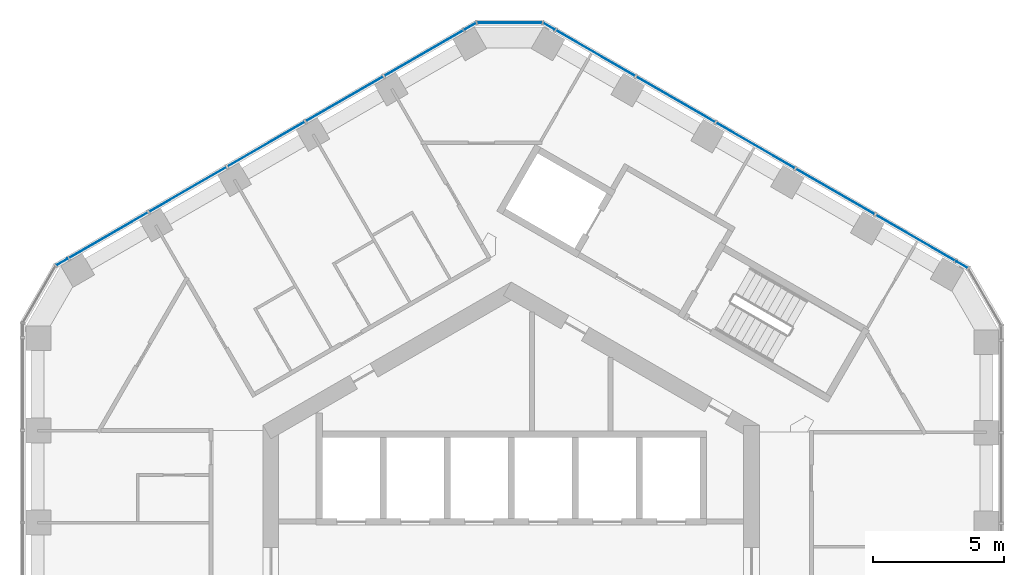
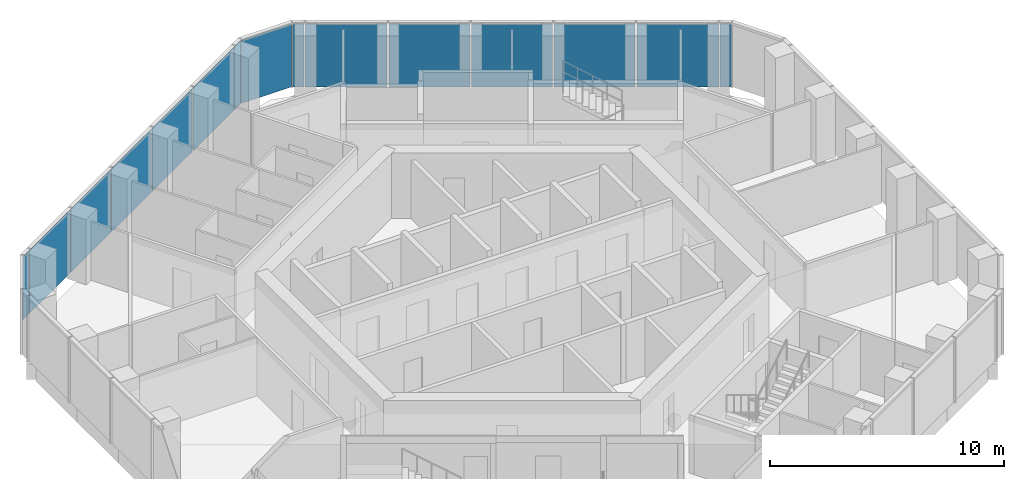
# One storey, part 13 of 19: 15 plates, 5 elements without a shape of their own.
"""IFC4 building model written with IfcOpenShell, lengths in metres."""

from ifc_helpers import new_model, si_unit, direction, frame, origin, origin_2d, place, context, subcontext, project, spatial, rectangle, extrude, material, layer, layer_set, type_object, element, aggregate, save


model = new_model("IFC4")

# Units and contexts
model_context = context("Model", 3, precision=1e-05, world=origin(), true_north=direction((0.0, 1.0)))
body_context = subcontext(model_context, "Body", "Model", "MODEL_VIEW")
ifc_project = project(units=[si_unit("LENGTHUNIT", "METRE"), si_unit("AREAUNIT", "SQUARE_METRE"), si_unit("VOLUMEUNIT", "CUBIC_METRE"), si_unit("PLANEANGLEUNIT", "RADIAN"), si_unit("MASSUNIT", "GRAM", prefix="KILO")], contexts=[model_context])

# Site, building, storey
site_placement = place(None, origin())
site = spatial("IfcSite", under=ifc_project, at=site_placement, CompositionType="ELEMENT")
building_placement = place(site_placement, origin())
building = spatial("IfcBuilding", under=site, at=building_placement, Name="Ayvan Gate Tower", CompositionType="ELEMENT")
storey_placement = place(building_placement, frame((0.0, 0.0, 156.10009765625)))
storey = spatial("IfcBuildingStorey", under=building, at=storey_placement, Name="L41", CompositionType="ELEMENT", Elevation=156.10009765625)

# Curtain wall, plates
ifc_material_1 = material(Name="Bronze anodised aluminium", Category="aluminium")
ifc_layer_1 = layer(ifc_material_1, 0.199951171875)
ifc_layer_set_1 = layer_set([ifc_layer_1], Name="Bronze anodised aluminium")
curtain_wall_type_1 = type_object("IfcCurtainWallType", Name="Stick curtain wall CW-2", PredefinedType="NOTDEFINED", material=ifc_layer_set_1)
curtain_wall_1_placement = place(storey_placement, origin())
curtain_wall_1 = element("IfcCurtainWall", 1, at=curtain_wall_1_placement, inside=storey, type_object=curtain_wall_type_1, Name="Stick curtain wall CW-2 L41", PredefinedType="NOTDEFINED")
ifc_material_2 = material(Name="Clear low-iron laminated glass", Category="glass")
ifc_layer_2 = layer(ifc_material_2, 0.028076171875)
ifc_layer_set_2 = layer_set([ifc_layer_2], Name="Clear low-iron laminated glass")
plate_type_1 = type_object("IfcPlateType", Name="Stick curtain wall CW-2 glass panel", PredefinedType="CURTAIN_PANEL", material=ifc_layer_set_2)
plate_1_placement = place(storey_placement, frame((-3.329833984375, 19.741455078125, 0.0), z_axis=(0.0, 0.0, 1.0), x_axis=(-0.866025403784, -0.5, 0.0)))
plate_1 = element("IfcPlate", 2, at=plate_1_placement, type_object=plate_type_1, Name="CW-2 glass panel 1", PredefinedType="CURTAIN_PANEL", context=body_context, shape_type="SweptSolid", body=[
    extrude(rectangle(XDim=3.506103515625, YDim=0.028076171875, at=origin_2d()), origin(), (0.0, 0.0, 1.0), 3.280029296875),
])
plate_2_placement = place(storey_placement, frame((-6.37890625, 17.98095703125, 0.0), z_axis=(0.0, 0.0, 1.0), x_axis=(-0.866025403784, -0.5, 0.0)))
plate_2 = element("IfcPlate", 3, at=plate_2_placement, type_object=plate_type_1, Name="CW-2 glass panel 2", PredefinedType="CURTAIN_PANEL", context=body_context, shape_type="SweptSolid", body=[
    extrude(rectangle(XDim=3.39599609375, YDim=0.028076171875, at=origin_2d()), origin(), (0.0, 0.0, 1.0), 3.280029296875),
])
plate_3_placement = place(storey_placement, frame((-9.380615234375, 16.248046875, 0.0), z_axis=(0.0, 0.0, 1.0), x_axis=(-0.866025403784, -0.5, 0.0)))
plate_3 = element("IfcPlate", 4, at=plate_3_placement, type_object=plate_type_1, Name="CW-2 glass panel 3", PredefinedType="CURTAIN_PANEL", context=body_context, shape_type="SweptSolid", body=[
    extrude(rectangle(XDim=3.39599609375, YDim=0.028076171875, at=origin_2d()), origin(), (0.0, 0.0, 1.0), 3.280029296875),
])
plate_4_placement = place(storey_placement, frame((-12.38232421875, 14.51513671875, 0.0), z_axis=(0.0, 0.0, 1.0), x_axis=(-0.866025403784, -0.5, 0.0)))
plate_4 = element("IfcPlate", 5, at=plate_4_placement, type_object=plate_type_1, Name="CW-2 glass panel 4", PredefinedType="CURTAIN_PANEL", context=body_context, shape_type="SweptSolid", body=[
    extrude(rectangle(XDim=3.39599609375, YDim=0.028076171875, at=origin_2d()), origin(), (0.0, 0.0, 1.0), 3.280029296875),
])
plate_5_placement = place(storey_placement, frame((-15.431640625, 12.75439453125, 0.0), z_axis=(0.0, 0.0, 1.0), x_axis=(-0.866025403784, -0.5, 0.0)))
plate_5 = element("IfcPlate", 6, at=plate_5_placement, type_object=plate_type_1, Name="CW-2 glass panel 5", PredefinedType="CURTAIN_PANEL", context=body_context, shape_type="SweptSolid", body=[
    extrude(rectangle(XDim=3.50634765625, YDim=0.028076171875, at=origin_2d()), origin(), (0.0, 0.0, 1.0), 3.280029296875),
])
aggregate(curtain_wall_1, [plate_1, plate_2, plate_3, plate_4, plate_5])

curtain_wall_2_placement = place(storey_placement, origin())
curtain_wall_2 = element("IfcCurtainWall", 7, at=curtain_wall_2_placement, inside=storey, type_object=curtain_wall_type_1, Name="Stick curtain wall CW-2 L41", PredefinedType="NOTDEFINED")
plate_6_placement = place(storey_placement, frame((15.48681640625, 12.654052734375, 0.0), z_axis=(0.0, 0.0, 1.0), x_axis=(-0.866025403784, 0.5, 0.0)))
plate_6 = element("IfcPlate", 8, at=plate_6_placement, type_object=plate_type_1, Name="CW-2 glass panel 1", PredefinedType="CURTAIN_PANEL", context=body_context, shape_type="SweptSolid", body=[
    extrude(rectangle(XDim=3.51611328125, YDim=0.028076171875, at=origin_2d()), origin(), (0.0, 0.0, 1.0), 3.280029296875),
])
plate_7_placement = place(storey_placement, frame((12.40625, 14.4326171875, 0.0), z_axis=(0.0, 0.0, 1.0), x_axis=(-0.866025403784, 0.5, 0.0)))
plate_7 = element("IfcPlate", 9, at=plate_7_placement, type_object=plate_type_1, Name="CW-2 glass panel 2", PredefinedType="CURTAIN_PANEL", context=body_context, shape_type="SweptSolid", body=[
    extrude(rectangle(XDim=3.4580078125, YDim=0.028076171875, at=origin_2d()), origin(), (0.0, 0.0, 1.0), 3.280029296875),
])
plate_8_placement = place(storey_placement, frame((9.35107421875, 16.196533203125, 0.0), z_axis=(0.0, 0.0, 1.0), x_axis=(-0.866025403784, 0.5, 0.0)))
plate_8 = element("IfcPlate", 10, at=plate_8_placement, type_object=plate_type_1, Name="CW-2 glass panel 3", PredefinedType="CURTAIN_PANEL", context=body_context, shape_type="SweptSolid", body=[
    extrude(rectangle(XDim=3.4580078125, YDim=0.028076171875, at=origin_2d()), origin(), (0.0, 0.0, 1.0), 3.280029296875),
])
plate_9_placement = place(storey_placement, frame((6.295654296875, 17.960693359375, 0.0), z_axis=(0.0, 0.0, 1.0), x_axis=(-0.866025403784, 0.5, 0.0)))
plate_9 = element("IfcPlate", 11, at=plate_9_placement, type_object=plate_type_1, Name="CW-2 glass panel 4", PredefinedType="CURTAIN_PANEL", context=body_context, shape_type="SweptSolid", body=[
    extrude(rectangle(XDim=3.4580078125, YDim=0.028076171875, at=origin_2d()), origin(), (0.0, 0.0, 1.0), 3.280029296875),
])
plate_10_placement = place(storey_placement, frame((3.21533203125, 19.739013671875, 0.0), z_axis=(0.0, 0.0, 1.0), x_axis=(-0.866025403784, 0.5, 0.0)))
plate_10 = element("IfcPlate", 12, at=plate_10_placement, type_object=plate_type_1, Name="CW-2 glass panel 5", PredefinedType="CURTAIN_PANEL", context=body_context, shape_type="SweptSolid", body=[
    extrude(rectangle(XDim=3.515869140625, YDim=0.028076171875, at=origin_2d()), origin(), (0.0, 0.0, 1.0), 3.280029296875),
])
aggregate(curtain_wall_2, [plate_6, plate_7, plate_8, plate_9, plate_10])

# Curtain wall, plate
ifc_layer_3 = layer(ifc_material_1, 0.199951171875)
ifc_layer_set_3 = layer_set([ifc_layer_3], Name="Bronze anodised aluminium")
curtain_wall_type_2 = type_object("IfcCurtainWallType", Name="Stick curtain wall CW-6", PredefinedType="NOTDEFINED", material=ifc_layer_set_3)
curtain_wall_3_placement = place(storey_placement, origin())
curtain_wall_3 = element("IfcCurtainWall", 13, at=curtain_wall_3_placement, inside=storey, type_object=curtain_wall_type_2, Name="Stick curtain wall CW-6 L41", PredefinedType="NOTDEFINED")
ifc_layer_4 = layer(ifc_material_2, 0.028076171875)
ifc_layer_set_4 = layer_set([ifc_layer_4], Name="Clear low-iron laminated glass")
plate_type_2 = type_object("IfcPlateType", Name="Stick curtain wall CW-6 glass panel", PredefinedType="CURTAIN_PANEL", material=ifc_layer_set_4)
plate_11_placement = place(storey_placement, frame((-17.19677734375, 11.7353515625, 0.0), z_axis=(0.0, 0.0, 1.0), x_axis=(-0.866025403784, -0.5, 0.0)))
plate_11 = element("IfcPlate", 14, at=plate_11_placement, type_object=plate_type_2, Name="CW-6 glass panel 1", PredefinedType="CURTAIN_PANEL", context=body_context, shape_type="SweptSolid", body=[
    extrude(rectangle(XDim=0.5, YDim=0.028076171875, at=origin_2d()), origin(), (0.0, 0.0, 1.0), 3.280029296875),
])
aggregate(curtain_wall_3, [plate_11])

curtain_wall_4_placement = place(storey_placement, origin())
curtain_wall_4 = element("IfcCurtainWall", 15, at=curtain_wall_4_placement, inside=storey, type_object=curtain_wall_type_2, Name="Stick curtain wall CW-6 L41", PredefinedType="NOTDEFINED")
plate_12_placement = place(storey_placement, frame((17.256103515625, 11.632568359375, 0.0), z_axis=(0.0, 0.0, 1.0), x_axis=(-0.866025403784, 0.5, 0.0)))
plate_12 = element("IfcPlate", 16, at=plate_12_placement, type_object=plate_type_2, Name="CW-6 glass panel 3", PredefinedType="CURTAIN_PANEL", context=body_context, shape_type="SweptSolid", body=[
    extrude(rectangle(XDim=0.5, YDim=0.028076171875, at=origin_2d()), origin(), (0.0, 0.0, 1.0), 3.280029296875),
])
aggregate(curtain_wall_4, [plate_12])

# Curtain wall, plates
curtain_wall_5_placement = place(storey_placement, origin())
curtain_wall_5 = element("IfcCurtainWall", 17, at=curtain_wall_5_placement, inside=storey, type_object=curtain_wall_type_2, Name="Stick curtain wall CW-6 L41", PredefinedType="NOTDEFINED")
plate_13_placement = place(storey_placement, frame((1.446044921875, 20.760498046875, 0.0), z_axis=(0.0, 0.0, 1.0), x_axis=(-0.866025403784, 0.5, 0.0)))
plate_13 = element("IfcPlate", 18, at=plate_13_placement, type_object=plate_type_2, Name="CW-6 glass panel 1", PredefinedType="CURTAIN_PANEL", context=body_context, shape_type="SweptSolid", body=[
    extrude(rectangle(XDim=0.5, YDim=0.028076171875, at=origin_2d()), origin(), (0.0, 0.0, 1.0), 3.280029296875),
])
plate_14_placement = place(storey_placement, frame((-0.059326171875, 20.89794921875, 0.0), z_axis=(0.0, 0.0, 1.0), x_axis=(-1.0, 0.0, 0.0)))
plate_14 = element("IfcPlate", 19, at=plate_14_placement, type_object=plate_type_2, Name="CW-6 glass panel 2", PredefinedType="CURTAIN_PANEL", context=body_context, shape_type="SweptSolid", body=[
    extrude(rectangle(XDim=2.484619140625, YDim=0.028076171875, at=origin_2d()), origin(), (0.0, 0.0, 1.0), 3.280029296875),
])
plate_15_placement = place(storey_placement, frame((-1.564697265625, 20.760498046875, 0.0), z_axis=(0.0, 0.0, 1.0), x_axis=(-0.866025403784, -0.5, 0.0)))
plate_15 = element("IfcPlate", 20, at=plate_15_placement, type_object=plate_type_2, Name="CW-6 glass panel 3", PredefinedType="CURTAIN_PANEL", context=body_context, shape_type="SweptSolid", body=[
    extrude(rectangle(XDim=0.5, YDim=0.028076171875, at=origin_2d()), origin(), (0.0, 0.0, 1.0), 3.280029296875),
])
aggregate(curtain_wall_5, [plate_13, plate_14, plate_15])

save(model, "model.ifc")
